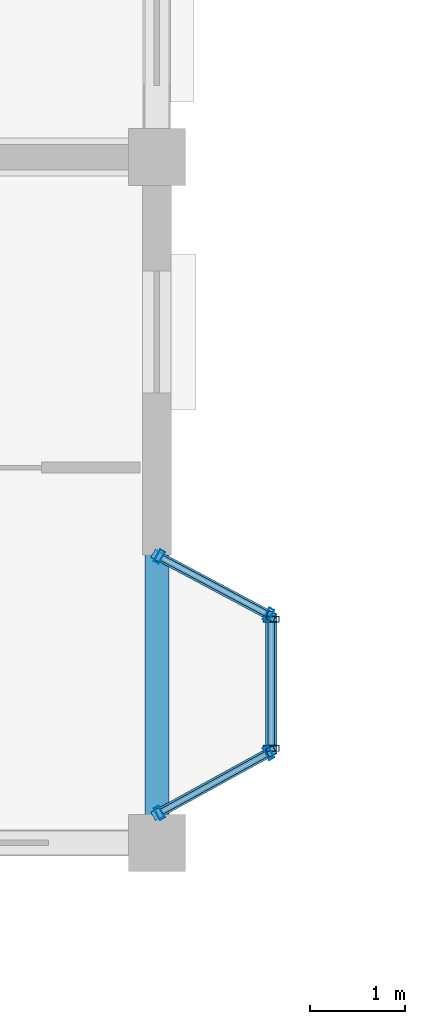
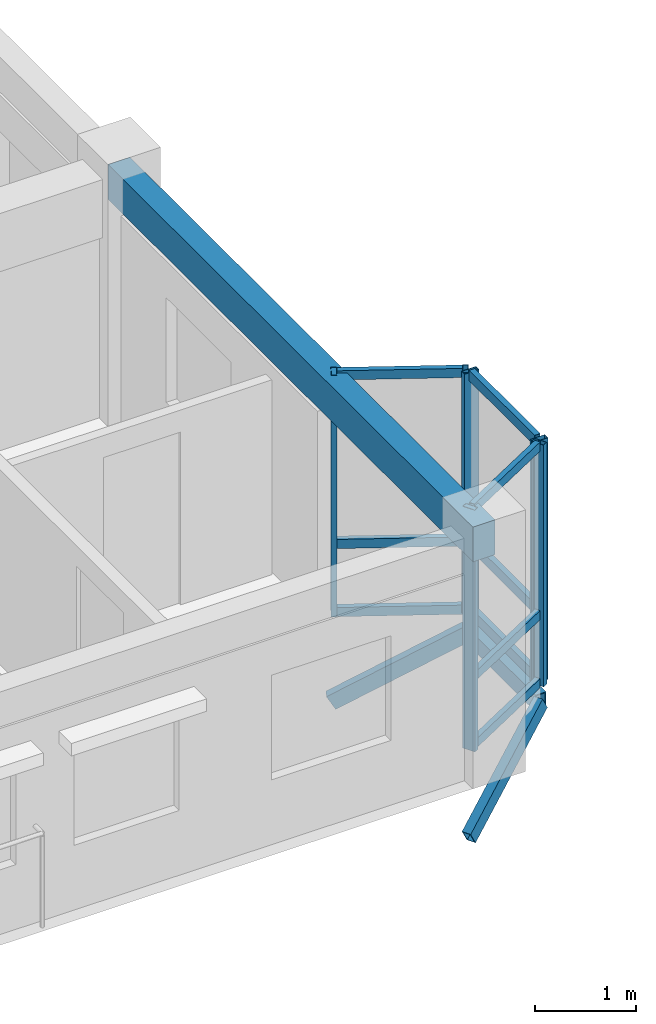
# One storey, part 19 of 124: 18 members, 1 beam, 3 elements without a shape of their own.
"""IFC4 building model written with IfcOpenShell, lengths in metres."""

from ifc_helpers import new_model, si_unit, direction, frame, origin, origin_2d, place, context, subcontext, project, spatial, rectangle, hollow_rectangle, extrude, material, layer, layer_set, material_profile, profile_set, type_object, element, aggregate, save


model = new_model("IFC4")

# Units and contexts
model_context = context("Model", 3, precision=1e-05, world=origin(), true_north=direction((0.0, 1.0)))
body_context = subcontext(model_context, "Body", "Model", "MODEL_VIEW")
ifc_project = project(units=[si_unit("LENGTHUNIT", "METRE"), si_unit("AREAUNIT", "SQUARE_METRE"), si_unit("VOLUMEUNIT", "CUBIC_METRE"), si_unit("PLANEANGLEUNIT", "RADIAN"), si_unit("MASSUNIT", "GRAM", prefix="KILO"), si_unit("THERMODYNAMICTEMPERATUREUNIT", "KELVIN"), si_unit("POWERUNIT", "WATT")], contexts=[model_context])

# Site, building, storey
site_placement = place(None, origin())
site = spatial("IfcSite", under=ifc_project, at=site_placement, CompositionType="ELEMENT")
building_placement = place(site_placement, origin())
building = spatial("IfcBuilding", under=site, at=building_placement, Name="Tavuni Mirador Residences", CompositionType="ELEMENT")
storey_placement = place(building_placement, frame((0.0, 0.0, 7.64990234375)))
storey = spatial("IfcBuildingStorey", under=building, at=storey_placement, Name="L02", CompositionType="ELEMENT", Elevation=7.64990234375)

# Beam
ifc_material_1 = material(Name="Precast concrete C40/50", Category="concrete")
ifc_material_profile_1 = material_profile(ifc_material_1, rectangle(XDim=0.25, YDim=0.419921875, at=origin_2d()), Name="PC 250x420", Category="concrete")
ifc_profile_set_1 = profile_set([ifc_material_profile_1], Name="Precast concrete C40/50")
beam_type = type_object("IfcBeamType", Name="BT-SP420", PredefinedType="SPANDREL", material=ifc_profile_set_1)
beam_placement = place(storey_placement, frame((25.199951171875, 64.800048828125, 2.7001953125), z_axis=(0.0, 1.0, 0.0), x_axis=(-1.0, 0.0, 0.0)))
element("IfcBeam", 1, at=beam_placement, inside=storey, type_object=beam_type, Name="BMY-BLK-B-L02-03-00", PredefinedType="SPANDREL", context=body_context, shape_type="SweptSolid", body=[
    extrude(rectangle(XDim=0.25, YDim=0.419921875, at=origin_2d()), origin(), (0.0, 0.0, 1.0), 7.199951171875),
])

# Curtain wall, members
ifc_material_2 = material(Name="Anodised aluminium", Category="aluminium")
ifc_layer_1 = layer(ifc_material_2, 0.1650390625, Name="Anodised aluminium", Category="aluminium")
ifc_layer_set_1 = layer_set([ifc_layer_1], Name="Anodised aluminium")
curtain_wall_type_1 = type_object("IfcCurtainWallType", Name="CWT-MIR-A", PredefinedType="NOTDEFINED", material=ifc_layer_set_1)
curtain_wall_1_placement = place(storey_placement, origin())
curtain_wall_1 = element("IfcCurtainWall", 2, at=curtain_wall_1_placement, inside=storey, type_object=curtain_wall_type_1, Name="CW-MIR-B-E1-L02-M1", PredefinedType="NOTDEFINED")
ifc_material_profile_2 = material_profile(ifc_material_2, hollow_rectangle(XDim=0.06005859375, YDim=0.139892578125, WallThickness=0.00390625, at=origin_2d()), Name="ALU 60x140x4.0", Category="aluminium")
ifc_profile_set_2 = profile_set([ifc_material_profile_2], Name="Anodised aluminium")
member_type_1 = type_object("IfcMemberType", Name="CWM-140", PredefinedType="MULLION", material=ifc_profile_set_2)
member_1_placement = place(storey_placement, frame((25.226318359375, 65.114501953125, 0.0), z_axis=(0.0, 0.0, 1.0), x_axis=(0.876215908676, 0.481918749773, 0.0)))
member_1 = element("IfcMember", 3, at=member_1_placement, type_object=member_type_1, Name="CW-01 mullion 1", PredefinedType="MULLION", context=body_context, shape_type="SweptSolid", body=[
    extrude(hollow_rectangle(XDim=0.06005859375, YDim=0.139892578125, WallThickness=0.00390625, at=origin_2d()), origin(), (0.0, 0.0, 1.0), 2.91015625),
])
member_2_placement = place(storey_placement, frame((26.373779296875, 65.74560546875, 0.0), z_axis=(0.0, 0.0, 1.0), x_axis=(0.876215908676, 0.481918749773, 0.0)))
member_2 = element("IfcMember", 4, at=member_2_placement, type_object=member_type_1, Name="CW-01 mullion 2", PredefinedType="MULLION", context=body_context, shape_type="SweptSolid", body=[
    extrude(hollow_rectangle(XDim=0.06005859375, YDim=0.139892578125, WallThickness=0.00390625, at=origin_2d()), origin(), (0.0, 0.0, 1.0), 2.91015625),
])

ifc_layer_2 = layer(ifc_material_2, 0.175048828125, Name="Anodised aluminium", Category="aluminium")
ifc_layer_set_2 = layer_set([ifc_layer_2], Name="Anodised aluminium")
curtain_wall_type_2 = type_object("IfcCurtainWallType", Name="CWT-MIR-C", PredefinedType="NOTDEFINED", material=ifc_layer_set_2)
curtain_wall_2_placement = place(storey_placement, origin())
curtain_wall_2 = element("IfcCurtainWall", 5, at=curtain_wall_2_placement, inside=storey, type_object=curtain_wall_type_2, Name="CW-MIR-B-E1-L02-M2", PredefinedType="NOTDEFINED")
member_3_placement = place(storey_placement, frame((26.37353515625, 67.194091796875, 0.0), z_axis=(0.0, 0.0, 1.0), x_axis=(-0.882352941175, 0.470588235296, 0.0)))
member_3 = element("IfcMember", 6, at=member_3_placement, type_object=member_type_1, Name="CW-03 mullion 1", PredefinedType="MULLION", context=body_context, shape_type="SweptSolid", body=[
    extrude(hollow_rectangle(XDim=0.06005859375, YDim=0.139892578125, WallThickness=0.00390625, at=origin_2d()), origin(), (0.0, 0.0, 1.0), 2.91015625),
])
member_4_placement = place(storey_placement, frame((25.2265625, 67.805908203125, 0.0), z_axis=(0.0, 0.0, 1.0), x_axis=(-0.882352941175, 0.470588235296, 0.0)))
member_4 = element("IfcMember", 7, at=member_4_placement, type_object=member_type_1, Name="CW-03 mullion 2", PredefinedType="MULLION", context=body_context, shape_type="SweptSolid", body=[
    extrude(hollow_rectangle(XDim=0.06005859375, YDim=0.139892578125, WallThickness=0.00390625, at=origin_2d()), origin(), (0.0, 0.0, 1.0), 2.91015625),
])

ifc_layer_3 = layer(ifc_material_2, 0.14990234375, Name="Anodised aluminium", Category="aluminium")
ifc_layer_set_3 = layer_set([ifc_layer_3], Name="Anodised aluminium")
curtain_wall_type_3 = type_object("IfcCurtainWallType", Name="CWT-MIR-B", PredefinedType="NOTDEFINED", material=ifc_layer_set_3)
curtain_wall_3_placement = place(storey_placement, origin())
curtain_wall_3 = element("IfcCurtainWall", 8, at=curtain_wall_3_placement, inside=storey, type_object=curtain_wall_type_3, Name="CW-MIR-B-E1-L02-MF", PredefinedType="NOTDEFINED")
ifc_material_profile_3 = material_profile(ifc_material_2, hollow_rectangle(XDim=0.06494140625, YDim=0.1650390625, WallThickness=0.00439453125, at=origin_2d()), Name="ALU 65x165x4.5", Category="aluminium")
ifc_profile_set_3 = profile_set([ifc_material_profile_3], Name="Anodised aluminium")
member_type_2 = type_object("IfcMemberType", Name="CWM-165", PredefinedType="MULLION", material=ifc_profile_set_3)
member_5_placement = place(storey_placement, frame((26.39990234375, 65.79248046875, 0.0), z_axis=(0.0, 0.0, 1.0), x_axis=(0.0, 1.0, 0.0)))
member_5 = element("IfcMember", 9, at=member_5_placement, type_object=member_type_2, Name="CW-02 mullion 1", PredefinedType="MULLION", context=body_context, shape_type="SweptSolid", body=[
    extrude(hollow_rectangle(XDim=0.06494140625, YDim=0.1650390625, WallThickness=0.00439453125, at=origin_2d()), origin(), (0.0, 0.0, 1.0), 2.91015625),
])
member_6_placement = place(storey_placement, frame((26.39990234375, 67.1474609375, 0.0), z_axis=(0.0, 0.0, 1.0), x_axis=(0.0, 1.0, 0.0)))
member_6 = element("IfcMember", 10, at=member_6_placement, type_object=member_type_2, Name="CW-02 mullion 2", PredefinedType="MULLION", context=body_context, shape_type="SweptSolid", body=[
    extrude(hollow_rectangle(XDim=0.06494140625, YDim=0.1650390625, WallThickness=0.00439453125, at=origin_2d()), origin(), (0.0, 0.0, 1.0), 2.91015625),
])

# Member
ifc_material_profile_4 = material_profile(ifc_material_2, hollow_rectangle(XDim=0.06005859375, YDim=0.110107421875, WallThickness=0.00390625, at=origin_2d()), Name="ALU 60x110x4.0", Category="aluminium")
ifc_profile_set_4 = profile_set([ifc_material_profile_4], Name="Anodised aluminium")
member_type_3 = type_object("IfcMemberType", Name="CWT-110", PredefinedType="USERDEFINED", material=ifc_profile_set_4)
member_7_placement = place(storey_placement, frame((25.252685546875, 65.12890625, 0.030029296875), z_axis=(0.876149893798, 0.48203875736, 0.0), x_axis=(-0.48203875736, 0.876149893798, 0.0)))
member_7 = element("IfcMember", 11, at=member_7_placement, type_object=member_type_3, Name="CW-01 transom 1.1", ObjectType="TRANSOM", PredefinedType="USERDEFINED", context=body_context, shape_type="SweptSolid", body=[
    extrude(hollow_rectangle(XDim=0.06005859375, YDim=0.110107421875, WallThickness=0.00390625, at=origin_2d()), origin(), (0.0, 0.0, 1.0), 1.24951171875),
])

member_8_placement = place(storey_placement, frame((25.252685546875, 65.12890625, 0.85009765625), z_axis=(0.876149893798, 0.48203875736, 0.0), x_axis=(-0.48203875736, 0.876149893798, 0.0)))
member_8 = element("IfcMember", 12, at=member_8_placement, type_object=member_type_3, Name="CW-01 transom 1.2", ObjectType="TRANSOM", PredefinedType="USERDEFINED", context=body_context, shape_type="SweptSolid", body=[
    extrude(hollow_rectangle(XDim=0.06005859375, YDim=0.110107421875, WallThickness=0.00390625, at=origin_2d()), origin(), (0.0, 0.0, 1.0), 1.24951171875),
])

member_9_placement = place(storey_placement, frame((25.252685546875, 65.12890625, 2.880126953125), z_axis=(0.876149893798, 0.48203875736, 0.0), x_axis=(-0.48203875736, 0.876149893798, 0.0)))
member_9 = element("IfcMember", 13, at=member_9_placement, type_object=member_type_3, Name="CW-01 transom 1.3", ObjectType="TRANSOM", PredefinedType="USERDEFINED", context=body_context, shape_type="SweptSolid", body=[
    extrude(hollow_rectangle(XDim=0.06005859375, YDim=0.110107421875, WallThickness=0.00390625, at=origin_2d()), origin(), (0.0, 0.0, 1.0), 1.24951171875),
])

aggregate(curtain_wall_1, [member_1, member_2, member_7, member_8, member_9])

member_10_placement = place(storey_placement, frame((26.34716796875, 67.208251953125, 0.030029296875), z_axis=(-0.882385637708, 0.470526924168, 0.0), x_axis=(-0.470526924168, -0.882385637708, 0.0)))
member_10 = element("IfcMember", 14, at=member_10_placement, type_object=member_type_3, Name="CW-03 transom 1.1", ObjectType="TRANSOM", PredefinedType="USERDEFINED", context=body_context, shape_type="SweptSolid", body=[
    extrude(hollow_rectangle(XDim=0.06005859375, YDim=0.110107421875, WallThickness=0.00390625, at=origin_2d()), origin(), (0.0, 0.0, 1.0), 1.239990234375),
])

member_11_placement = place(storey_placement, frame((26.34716796875, 67.208251953125, 0.85009765625), z_axis=(-0.882385637708, 0.470526924168, 0.0), x_axis=(-0.470526924168, -0.882385637708, 0.0)))
member_11 = element("IfcMember", 15, at=member_11_placement, type_object=member_type_3, Name="CW-03 transom 1.2", ObjectType="TRANSOM", PredefinedType="USERDEFINED", context=body_context, shape_type="SweptSolid", body=[
    extrude(hollow_rectangle(XDim=0.06005859375, YDim=0.110107421875, WallThickness=0.00390625, at=origin_2d()), origin(), (0.0, 0.0, 1.0), 1.239990234375),
])

member_12_placement = place(storey_placement, frame((26.34716796875, 67.208251953125, 2.880126953125), z_axis=(-0.882385637708, 0.470526924168, 0.0), x_axis=(-0.470526924168, -0.882385637708, 0.0)))
member_12 = element("IfcMember", 16, at=member_12_placement, type_object=member_type_3, Name="CW-03 transom 1.3", ObjectType="TRANSOM", PredefinedType="USERDEFINED", context=body_context, shape_type="SweptSolid", body=[
    extrude(hollow_rectangle(XDim=0.06005859375, YDim=0.110107421875, WallThickness=0.00390625, at=origin_2d()), origin(), (0.0, 0.0, 1.0), 1.239990234375),
])

aggregate(curtain_wall_2, [member_3, member_4, member_10, member_11, member_12])

ifc_material_profile_5 = material_profile(ifc_material_2, hollow_rectangle(XDim=0.06494140625, YDim=0.125, WallThickness=0.00439453125, at=origin_2d()), Name="ALU 65x125x4.5", Category="aluminium")
ifc_profile_set_5 = profile_set([ifc_material_profile_5], Name="Anodised aluminium")
member_type_4 = type_object("IfcMemberType", Name="CWT-125", PredefinedType="USERDEFINED", material=ifc_profile_set_5)
member_13_placement = place(storey_placement, frame((26.39990234375, 65.824951171875, 0.03271484375), z_axis=(0.0, 1.0, 0.0), x_axis=(-1.0, 0.0, 0.0)))
member_13 = element("IfcMember", 17, at=member_13_placement, type_object=member_type_4, Name="CW-02 transom 1.1", ObjectType="TRANSOM", PredefinedType="USERDEFINED", context=body_context, shape_type="SweptSolid", body=[
    extrude(hollow_rectangle(XDim=0.06494140625, YDim=0.125, WallThickness=0.00439453125, at=origin_2d()), origin(), (0.0, 0.0, 1.0), 1.2900390625),
])

member_14_placement = place(storey_placement, frame((26.39990234375, 65.824951171875, 0.85009765625), z_axis=(0.0, 1.0, 0.0), x_axis=(-1.0, 0.0, 0.0)))
member_14 = element("IfcMember", 18, at=member_14_placement, type_object=member_type_4, Name="CW-02 transom 1.2", ObjectType="TRANSOM", PredefinedType="USERDEFINED", context=body_context, shape_type="SweptSolid", body=[
    extrude(hollow_rectangle(XDim=0.06494140625, YDim=0.125, WallThickness=0.00439453125, at=origin_2d()), origin(), (0.0, 0.0, 1.0), 1.2900390625),
])

member_15_placement = place(storey_placement, frame((26.39990234375, 65.824951171875, 2.877685546875), z_axis=(0.0, 1.0, 0.0), x_axis=(-1.0, 0.0, 0.0)))
member_15 = element("IfcMember", 19, at=member_15_placement, type_object=member_type_4, Name="CW-02 transom 1.3", ObjectType="TRANSOM", PredefinedType="USERDEFINED", context=body_context, shape_type="SweptSolid", body=[
    extrude(hollow_rectangle(XDim=0.06494140625, YDim=0.125, WallThickness=0.00439453125, at=origin_2d()), origin(), (0.0, 0.0, 1.0), 1.2900390625),
])

aggregate(curtain_wall_3, [member_5, member_6, member_13, member_14, member_15])

# Members
ifc_material_3 = material(Name="Structural steel S355", Category="steel")
ifc_material_profile_6 = material_profile(ifc_material_3, hollow_rectangle(XDim=0.10009765625, YDim=0.179931640625, WallThickness=0.008056640625, at=origin_2d()), Name="RHS 180x100x8.0", Category="steel")
ifc_profile_set_6 = profile_set([ifc_material_profile_6], Name="Structural steel S355")
member_type_5 = type_object("IfcMemberType", Name="MT-BR-RHS180", PredefinedType="BRACE", material=ifc_profile_set_6)
member_16_placement = place(storey_placement, frame((25.199951171875, 65.10009765625, -1.0498046875), z_axis=(0.754229019524, 0.414787597105, 0.509008679097), x_axis=(-0.481884531043, 0.876234728108, 0.0)))
element("IfcMember", 20, at=member_16_placement, inside=storey, type_object=member_type_5, Name="MBRK-MIR-B-E1-L02-1", PredefinedType="BRACE", context=body_context, shape_type="SweptSolid", body=[
    extrude(hollow_rectangle(XDim=0.10009765625, YDim=0.179931640625, WallThickness=0.008056640625, at=origin_2d()), origin(), (0.0, 0.0, 1.0), 1.591064453125),
])
member_17_placement = place(storey_placement, frame((25.199951171875, 67.820068359375, -1.0498046875), z_axis=(0.758088787009, -0.404416846295, 0.511613531334), x_axis=(0.470681405175, 0.882303244255, 0.0)))
element("IfcMember", 21, at=member_17_placement, inside=storey, type_object=member_type_5, Name="MBRK-MIR-B-E1-L02-2", PredefinedType="BRACE", context=body_context, shape_type="SweptSolid", body=[
    extrude(hollow_rectangle(XDim=0.10009765625, YDim=0.179931640625, WallThickness=0.008056640625, at=origin_2d()), origin(), (0.0, 0.0, 1.0), 1.582763671875),
])
ifc_material_profile_7 = material_profile(ifc_material_3, hollow_rectangle(XDim=0.1201171875, YDim=0.199951171875, WallThickness=0.010009765625, at=origin_2d()), Name="RHS 200x120x10.0", Category="steel")
ifc_profile_set_7 = profile_set([ifc_material_profile_7], Name="Structural steel S355")
member_type_6 = type_object("IfcMemberType", Name="MT-ST-RHS200", PredefinedType="STRUT", material=ifc_profile_set_7)
member_18_placement = place(storey_placement, frame((26.39990234375, 65.760009765625, -0.239990234375), z_axis=(0.0, 1.0, 0.0), x_axis=(-1.0, 0.0, 0.0)))
element("IfcMember", 22, at=member_18_placement, inside=storey, type_object=member_type_6, Name="MRIM-MIR-B-E1-L02", PredefinedType="STRUT", context=body_context, shape_type="SweptSolid", body=[
    extrude(hollow_rectangle(XDim=0.1201171875, YDim=0.199951171875, WallThickness=0.010009765625, at=origin_2d()), origin(), (0.0, 0.0, 1.0), 1.419921875),
])

save(model, "model.ifc")
